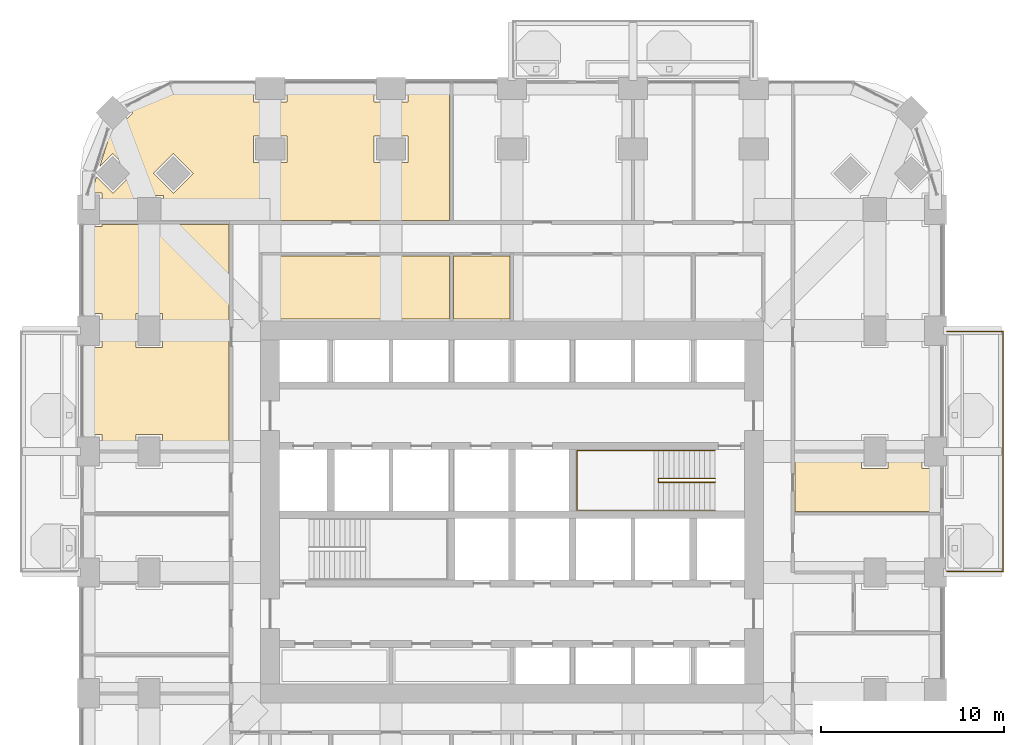
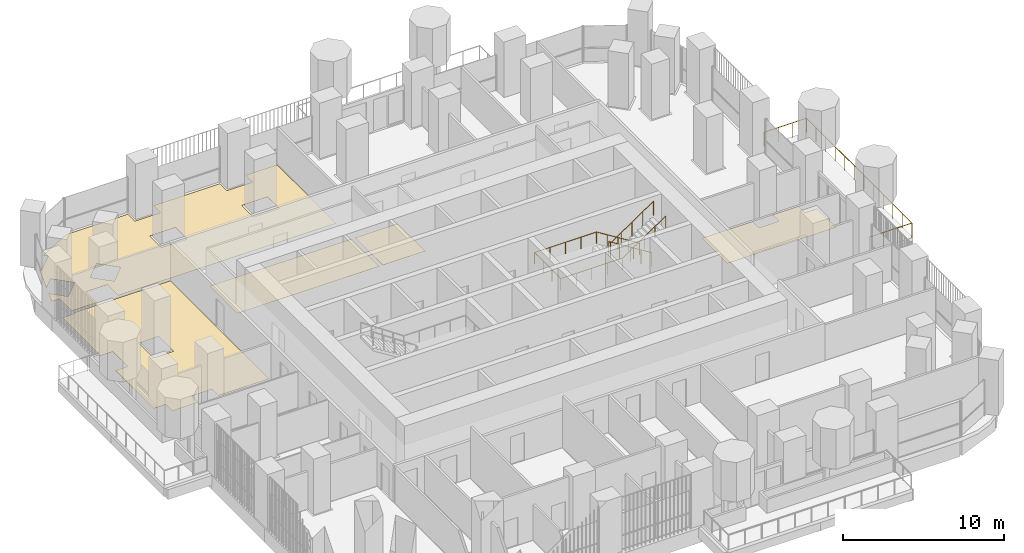
# One storey, part 20 of 22: 5 coverings, 3 railings.
"""IFC4 building model written with IfcOpenShell, lengths in metres."""

import ifcopenshell
import ifcopenshell.guid

model = None  # the IFC model being written
_history = None  # IfcOwnerHistory: only IFC2X3 demands one
_inside = {}  # id of a spatial element -> (the spatial element, [elements in it])
_under = {}  # id of a project, library or spatial element -> (it, [spatial elements below it])
_declared = {}  # id of a project -> (the project, [libraries it declares])
_typed = {}  # id of a type object -> (the type object, [elements of that type])
_made_of = {}  # id of a material, layer set ... -> (it, [elements and type objects made of it])


def new_model(schema):
    """Start an empty IFC model of exactly this schema.

    Asked for "IFC4X3", IfcOpenShell would pick the latest addendum, in which some entities
    have other attributes; the version numbers below select the first issue.
    IFC2X3 requires an IfcOwnerHistory on every rooted entity: one is made here for all.
    """
    global model, _history
    if schema == "IFC4X3":
        model = ifcopenshell.file(schema_version=(4, 3, 0, 0))
    else:
        model = ifcopenshell.file(schema=schema)
    _inside.clear()
    _under.clear()
    _declared.clear()
    _typed.clear()
    _made_of.clear()
    _history = None
    if model.schema == "IFC2X3":
        org = make("IfcOrganization", Name="unknown")
        user = make(
            "IfcPersonAndOrganization",
            ThePerson=make("IfcPerson", FamilyName="unknown"),
            TheOrganization=org,
        )
        app = make(
            "IfcApplication",
            ApplicationDeveloper=org,
            Version="unknown",
            ApplicationFullName="unknown",
            ApplicationIdentifier="unknown",
        )
        _history = make(
            "IfcOwnerHistory",
            OwningUser=user,
            OwningApplication=app,
            ChangeAction="ADDED",
            CreationDate=0,
        )
    return model


def make(cls, **values):
    """One entity of the class cls with the attributes given. An attribute that is None is left unset."""
    return model.create_entity(
        cls, **{name: value for name, value in values.items() if value is not None}
    )


def rooted(cls, **values):
    """An entity with a GlobalId (a new one), such as an element, a storey or a relation."""
    return make(cls, GlobalId=ifcopenshell.guid.new(), OwnerHistory=_history, **values)


def si_unit(unit_type, name, prefix=None):
    """IfcSIUnit, for example si_unit("LENGTHUNIT", "METRE", prefix="MILLI")."""
    return make("IfcSIUnit", UnitType=unit_type, Prefix=prefix, Name=name)


def assignment(units):
    """IfcUnitAssignment: the units of a project."""
    return None if units is None else make("IfcUnitAssignment", Units=units)


def point(xyz):
    """IfcCartesianPoint."""
    return None if xyz is None else make("IfcCartesianPoint", Coordinates=xyz)


def direction(xyz):
    """IfcDirection."""
    return None if xyz is None else make("IfcDirection", DirectionRatios=xyz)


def frame(location, z_axis=None, x_axis=None):
    """IfcAxis2Placement3D, a coordinate frame: its origin and axes. An axis left out is left unset."""
    return make(
        "IfcAxis2Placement3D",
        Location=point(location),
        Axis=direction(z_axis),
        RefDirection=direction(x_axis),
    )


def origin():
    """The frame at (0, 0, 0) with its axes left unset."""
    return frame((0.0, 0.0, 0.0))


def place(relative_to, where):
    """IfcLocalPlacement: puts the frame where relative to a parent placement (None: the world)."""
    return make(
        "IfcLocalPlacement", PlacementRelTo=relative_to, RelativePlacement=where
    )


def context(
    kind, dimensions, precision=None, world=None, true_north=None, identifier=None
):
    """IfcGeometricRepresentationContext, for example the 3D "Model" context."""
    return make(
        "IfcGeometricRepresentationContext",
        ContextIdentifier=identifier,
        ContextType=kind,
        CoordinateSpaceDimension=dimensions,
        Precision=precision,
        WorldCoordinateSystem=world,
        TrueNorth=true_north,
    )


def subcontext(parent, identifier, kind, view, scale=None):
    """IfcGeometricRepresentationSubContext, for example "Body" below "Model"."""
    return make(
        "IfcGeometricRepresentationSubContext",
        ContextIdentifier=identifier,
        ContextType=kind,
        ParentContext=parent,
        TargetScale=scale,
        TargetView=view,
    )


def project(units=None, contexts=None):
    """IfcProject with its units and contexts."""
    return rooted(
        "IfcProject",
        Name="project",
        RepresentationContexts=contexts,
        UnitsInContext=assignment(units),
    )


def spatial(cls, under=None, at=None, **own):
    """A site, building, storey or space (cls), placed at a placement, below another one or the project."""
    s = rooted(cls, ObjectPlacement=at, **own)
    if under is not None:
        _under.setdefault(under.id(), (under, []))[1].append(s)
    return s


def polyline(points):
    """IfcPolyline through the points."""
    return make("IfcPolyline", Points=[point(p) for p in points])


def outline(outer, holes=None, kind="AREA"):
    """IfcArbitraryClosedProfileDef: a profile drawn as a closed curve; with holes, ...WithVoids."""
    if holes is None:
        return make("IfcArbitraryClosedProfileDef", ProfileType=kind, OuterCurve=outer)
    return make(
        "IfcArbitraryProfileDefWithVoids",
        ProfileType=kind,
        OuterCurve=outer,
        InnerCurves=holes,
    )


def extrude(swept, where, along, depth):
    """IfcExtrudedAreaSolid: the profile swept, set in the frame where, extruded along a direction by depth."""
    return make(
        "IfcExtrudedAreaSolid",
        SweptArea=swept,
        Position=where,
        ExtrudedDirection=direction(along),
        Depth=depth,
    )


def shape(context_of_items, identifier, shape_type, items):
    """IfcShapeRepresentation: the items that make up one representation, for example the "Body"."""
    return make(
        "IfcShapeRepresentation",
        ContextOfItems=context_of_items,
        RepresentationIdentifier=identifier,
        RepresentationType=shape_type,
        Items=items,
    )


def material(Name=None, Category=None):
    """IfcMaterial."""
    return make("IfcMaterial", Name=Name, Category=Category)


def layer(
    of_material, thickness, ventilated=None, Name=None, Category=None, Priority=None
):
    """IfcMaterialLayer: one layer of a wall or slab, of a material (None: an air gap)."""
    return make(
        "IfcMaterialLayer",
        Material=of_material,
        LayerThickness=thickness,
        IsVentilated=ventilated,
        Name=Name,
        Category=Category,
        Priority=Priority,
    )


def layer_set(layers, Name=None):
    """IfcMaterialLayerSet."""
    return make("IfcMaterialLayerSet", MaterialLayers=layers, LayerSetName=Name)


def made_of(thing, what):
    """Note that an element or type object is made of a material, layer set ...; save() writes the relation."""
    if what is not None:
        _made_of.setdefault(what.id(), (what, []))[1].append(thing)
    return thing


def type_object(cls, material=None, **own):
    """A type object (cls), such as IfcWallType, which elements share."""
    return made_of(rooted(cls, **own), material)


def element(
    cls,
    number,
    at=None,
    inside=None,
    cuts=None,
    type_object=None,
    material=None,
    context=None,
    identifier="Body",
    shape_type=None,
    held_by="IfcProductDefinitionShape",
    body=None,
    shapes=None,
    **own,
):
    """One element of the class cls, such as IfcWall. Its Tag is "e" and its number.

    at: its placement. inside: the storey or other place that contains it. cuts: it is an
    opening in that element (IfcRelVoidsElement). A single representation is given by context,
    identifier, shape_type and body (its items); several are given by shapes. held_by: the class
    of the entity that holds the representations. save() writes the other relations.
    """
    e = rooted(cls, Tag="e%d" % number, ObjectPlacement=at, **own)
    if body is not None:
        shapes = [shape(context, identifier, shape_type, body)]
    if shapes is not None:
        e.Representation = make(held_by, Representations=shapes)
    if inside is not None:
        _inside.setdefault(inside.id(), (inside, []))[1].append(e)
    if cuts is not None:
        rooted(
            "IfcRelVoidsElement", RelatingBuildingElement=cuts, RelatedOpeningElement=e
        )
    if type_object is not None:
        _typed.setdefault(type_object.id(), (type_object, []))[1].append(e)
    return made_of(e, material)


def aggregate(whole, parts):
    """IfcRelAggregates: a whole, such as a stair, and the parts it consists of."""
    return rooted("IfcRelAggregates", RelatingObject=whole, RelatedObjects=parts)


def save(model, path):
    """Write the relations noted so far, then the file.

    IfcRelAggregates (storeys below a building ...), IfcRelContainedInSpatialStructure (elements
    in a storey), IfcRelDefinesByType, IfcRelAssociatesMaterial and IfcRelDeclares: one each for
    every whole, place, type object, material and project.
    """
    for whole, parts in _under.values():
        aggregate(whole, parts)
    for where, things in _inside.values():
        rooted(
            "IfcRelContainedInSpatialStructure",
            RelatedElements=things,
            RelatingStructure=where,
        )
    for kind, things in _typed.values():
        rooted("IfcRelDefinesByType", RelatedObjects=things, RelatingType=kind)
    for what, things in _made_of.values():
        rooted("IfcRelAssociatesMaterial", RelatedObjects=things, RelatingMaterial=what)
    for by, libraries in _declared.values():
        rooted("IfcRelDeclares", RelatingContext=by, RelatedDefinitions=libraries)
    model.write(path)


model = new_model("IFC4")

# Units and contexts
model_context = context("Model", 3, precision=1e-05, world=origin(), true_north=direction((0.0, 1.0)))
body_context = subcontext(model_context, "Body", "Model", "MODEL_VIEW")
ifc_project = project(units=[si_unit("LENGTHUNIT", "METRE"), si_unit("AREAUNIT", "SQUARE_METRE"), si_unit("VOLUMEUNIT", "CUBIC_METRE"), si_unit("PLANEANGLEUNIT", "RADIAN"), si_unit("MASSUNIT", "GRAM", prefix="KILO")], contexts=[model_context])

# Site, building, storey
site_placement = place(None, origin())
site = spatial("IfcSite", under=ifc_project, at=site_placement, CompositionType="ELEMENT")
building_placement = place(site_placement, origin())
building = spatial("IfcBuilding", under=site, at=building_placement, Name="Cobogo Forest Laboratory Tower", CompositionType="ELEMENT")
storey_placement = place(building_placement, frame((0.0, 0.0, 94.800048828125)))
storey = spatial("IfcBuildingStorey", under=building, at=storey_placement, Name="L21", CompositionType="ELEMENT", Elevation=94.800048828125)

# Railing
ifc_material_1 = material(Name="Laminated glass balustrade", Category="glass")
railing_type_1 = type_object("IfcRailingType", Name="BG1 glass balustrade 1100", PredefinedType="GUARDRAIL", material=ifc_material_1)
railing_1_placement = place(storey_placement, frame((50.14990234375, 19.85009765625, 0.0)))
element("IfcRailing", 1, at=railing_1_placement, inside=storey, type_object=railing_type_1, Name="Balcony balustrade BAL-E1 L21", PredefinedType="GUARDRAIL", context=body_context, shape_type="SweptSolid", body=[
    extrude(outline(polyline([(0.022216796875, 0.00927734375), (0.00927734375, 0.022216796875), (-0.00927734375, 0.022216796875), (-0.022216796875, 0.00927734375), (-0.022216796875, -0.00927734375), (-0.00927734375, -0.022216796875), (0.00927734375, -0.022216796875), (0.022216796875, -0.00927734375), (0.022216796875, 0.00927734375)])), frame((0.0, 0.0, 1.077880859375), z_axis=(1.0, 0.0, 0.0), x_axis=(0.0, 1.0, 0.0)), (0.0, 0.0, 1.0), 3.050048828125),
    extrude(outline(polyline([(0.022216796875, 0.00927734375), (0.00927734375, 0.022216796875), (-0.00927734375, 0.022216796875), (-0.022216796875, 0.00927734375), (-0.022216796875, -0.00927734375), (-0.00927734375, -0.022216796875), (0.00927734375, -0.022216796875), (0.022216796875, -0.00927734375), (0.022216796875, 0.00927734375)])), frame((3.050048828125, 0.0, 1.077880859375), z_axis=(0.0, 1.0, 0.0), x_axis=(-1.0, 0.0, 0.0)), (0.0, 0.0, 1.0), 13.099853515625),
    extrude(outline(polyline([(0.022216796875, 0.00927734375), (0.00927734375, 0.022216796875), (-0.00927734375, 0.022216796875), (-0.022216796875, 0.00927734375), (-0.022216796875, -0.00927734375), (-0.00927734375, -0.022216796875), (0.00927734375, -0.022216796875), (0.022216796875, -0.00927734375), (0.022216796875, 0.00927734375)])), frame((3.050048828125, 13.099853515625, 1.077880859375), z_axis=(-1.0, 0.0, 0.0), x_axis=(0.0, -1.0, 0.0)), (0.0, 0.0, 1.0), 3.050048828125),
    extrude(outline(polyline([(0.019287109375, 0.008056640625), (0.008056640625, 0.019287109375), (-0.008056640625, 0.019287109375), (-0.019287109375, 0.008056640625), (-0.019287109375, -0.008056640625), (-0.008056640625, -0.019287109375), (0.008056640625, -0.019287109375), (0.019287109375, -0.008056640625), (0.019287109375, 0.008056640625)])), origin(), (0.0, 0.0, 1.0), 1.077880859375),
    extrude(outline(polyline([(0.019287109375, 0.008056640625), (0.008056640625, 0.019287109375), (-0.008056640625, 0.019287109375), (-0.019287109375, 0.008056640625), (-0.019287109375, -0.008056640625), (-0.008056640625, -0.019287109375), (0.008056640625, -0.019287109375), (0.019287109375, -0.008056640625), (0.019287109375, 0.008056640625)])), frame((1.0166015625, 0.0, 0.0)), (0.0, 0.0, 1.0), 1.077880859375),
    extrude(outline(polyline([(0.019287109375, 0.008056640625), (0.008056640625, 0.019287109375), (-0.008056640625, 0.019287109375), (-0.019287109375, 0.008056640625), (-0.019287109375, -0.008056640625), (-0.008056640625, -0.019287109375), (0.008056640625, -0.019287109375), (0.019287109375, -0.008056640625), (0.019287109375, 0.008056640625)])), frame((2.033447265625, 0.0, 0.0)), (0.0, 0.0, 1.0), 1.077880859375),
    extrude(outline(polyline([(0.019287109375, 0.008056640625), (0.008056640625, 0.019287109375), (-0.008056640625, 0.019287109375), (-0.019287109375, 0.008056640625), (-0.019287109375, -0.008056640625), (-0.008056640625, -0.019287109375), (0.008056640625, -0.019287109375), (0.019287109375, -0.008056640625), (0.019287109375, 0.008056640625)])), frame((3.050048828125, 0.0, 0.0)), (0.0, 0.0, 1.0), 1.077880859375),
    extrude(outline(polyline([(0.019287109375, 0.008056640625), (0.008056640625, 0.019287109375), (-0.008056640625, 0.019287109375), (-0.019287109375, 0.008056640625), (-0.019287109375, -0.008056640625), (-0.008056640625, -0.019287109375), (0.008056640625, -0.019287109375), (0.019287109375, -0.008056640625), (0.019287109375, 0.008056640625)])), frame((3.050048828125, 1.19091796875, 0.0)), (0.0, 0.0, 1.0), 1.077880859375),
    extrude(outline(polyline([(0.019287109375, 0.008056640625), (0.008056640625, 0.019287109375), (-0.008056640625, 0.019287109375), (-0.019287109375, 0.008056640625), (-0.019287109375, -0.008056640625), (-0.008056640625, -0.019287109375), (0.008056640625, -0.019287109375), (0.019287109375, -0.008056640625), (0.019287109375, 0.008056640625)])), frame((3.050048828125, 2.3818359375, 0.0)), (0.0, 0.0, 1.0), 1.077880859375),
    extrude(outline(polyline([(0.019287109375, 0.008056640625), (0.008056640625, 0.019287109375), (-0.008056640625, 0.019287109375), (-0.019287109375, 0.008056640625), (-0.019287109375, -0.008056640625), (-0.008056640625, -0.019287109375), (0.008056640625, -0.019287109375), (0.019287109375, -0.008056640625), (0.019287109375, 0.008056640625)])), frame((3.050048828125, 3.57275390625, 0.0)), (0.0, 0.0, 1.0), 1.077880859375),
    extrude(outline(polyline([(0.019287109375, 0.008056640625), (0.008056640625, 0.019287109375), (-0.008056640625, 0.019287109375), (-0.019287109375, 0.008056640625), (-0.019287109375, -0.008056640625), (-0.008056640625, -0.019287109375), (0.008056640625, -0.019287109375), (0.019287109375, -0.008056640625), (0.019287109375, 0.008056640625)])), frame((3.050048828125, 4.763671875, 0.0)), (0.0, 0.0, 1.0), 1.077880859375),
    extrude(outline(polyline([(0.019287109375, 0.008056640625), (0.008056640625, 0.019287109375), (-0.008056640625, 0.019287109375), (-0.019287109375, 0.008056640625), (-0.019287109375, -0.008056640625), (-0.008056640625, -0.019287109375), (0.008056640625, -0.019287109375), (0.019287109375, -0.008056640625), (0.019287109375, 0.008056640625)])), frame((3.050048828125, 5.95458984375, 0.0)), (0.0, 0.0, 1.0), 1.077880859375),
    extrude(outline(polyline([(0.019287109375, 0.008056640625), (0.008056640625, 0.019287109375), (-0.008056640625, 0.019287109375), (-0.019287109375, 0.008056640625), (-0.019287109375, -0.008056640625), (-0.008056640625, -0.019287109375), (0.008056640625, -0.019287109375), (0.019287109375, -0.008056640625), (0.019287109375, 0.008056640625)])), frame((3.050048828125, 7.145263671875, 0.0)), (0.0, 0.0, 1.0), 1.077880859375),
    extrude(outline(polyline([(0.019287109375, 0.008056640625), (0.008056640625, 0.019287109375), (-0.008056640625, 0.019287109375), (-0.019287109375, 0.008056640625), (-0.019287109375, -0.008056640625), (-0.008056640625, -0.019287109375), (0.008056640625, -0.019287109375), (0.019287109375, -0.008056640625), (0.019287109375, 0.008056640625)])), frame((3.050048828125, 8.336181640625, 0.0)), (0.0, 0.0, 1.0), 1.077880859375),
    extrude(outline(polyline([(0.019287109375, 0.008056640625), (0.008056640625, 0.019287109375), (-0.008056640625, 0.019287109375), (-0.019287109375, 0.008056640625), (-0.019287109375, -0.008056640625), (-0.008056640625, -0.019287109375), (0.008056640625, -0.019287109375), (0.019287109375, -0.008056640625), (0.019287109375, 0.008056640625)])), frame((3.050048828125, 9.527099609375, 0.0)), (0.0, 0.0, 1.0), 1.077880859375),
    extrude(outline(polyline([(0.019287109375, 0.008056640625), (0.008056640625, 0.019287109375), (-0.008056640625, 0.019287109375), (-0.019287109375, 0.008056640625), (-0.019287109375, -0.008056640625), (-0.008056640625, -0.019287109375), (0.008056640625, -0.019287109375), (0.019287109375, -0.008056640625), (0.019287109375, 0.008056640625)])), frame((3.050048828125, 10.718017578125, 0.0)), (0.0, 0.0, 1.0), 1.077880859375),
    extrude(outline(polyline([(0.019287109375, 0.008056640625), (0.008056640625, 0.019287109375), (-0.008056640625, 0.019287109375), (-0.019287109375, 0.008056640625), (-0.019287109375, -0.008056640625), (-0.008056640625, -0.019287109375), (0.008056640625, -0.019287109375), (0.019287109375, -0.008056640625), (0.019287109375, 0.008056640625)])), frame((3.050048828125, 11.908935546875, 0.0)), (0.0, 0.0, 1.0), 1.077880859375),
    extrude(outline(polyline([(0.019287109375, 0.008056640625), (0.008056640625, 0.019287109375), (-0.008056640625, 0.019287109375), (-0.019287109375, 0.008056640625), (-0.019287109375, -0.008056640625), (-0.008056640625, -0.019287109375), (0.008056640625, -0.019287109375), (0.019287109375, -0.008056640625), (0.019287109375, 0.008056640625)])), frame((3.050048828125, 13.099853515625, 0.0)), (0.0, 0.0, 1.0), 1.077880859375),
    extrude(outline(polyline([(0.019287109375, 0.008056640625), (0.008056640625, 0.019287109375), (-0.008056640625, 0.019287109375), (-0.019287109375, 0.008056640625), (-0.019287109375, -0.008056640625), (-0.008056640625, -0.019287109375), (0.008056640625, -0.019287109375), (0.019287109375, -0.008056640625), (0.019287109375, 0.008056640625)])), frame((2.033447265625, 13.099853515625, 0.0)), (0.0, 0.0, 1.0), 1.077880859375),
    extrude(outline(polyline([(0.019287109375, 0.008056640625), (0.008056640625, 0.019287109375), (-0.008056640625, 0.019287109375), (-0.019287109375, 0.008056640625), (-0.019287109375, -0.008056640625), (-0.008056640625, -0.019287109375), (0.008056640625, -0.019287109375), (0.019287109375, -0.008056640625), (0.019287109375, 0.008056640625)])), frame((1.0166015625, 13.099853515625, 0.0)), (0.0, 0.0, 1.0), 1.077880859375),
    extrude(outline(polyline([(0.019287109375, 0.008056640625), (0.008056640625, 0.019287109375), (-0.008056640625, 0.019287109375), (-0.019287109375, 0.008056640625), (-0.019287109375, -0.008056640625), (-0.008056640625, -0.019287109375), (0.008056640625, -0.019287109375), (0.019287109375, -0.008056640625), (0.019287109375, 0.008056640625)])), frame((0.0, 13.099853515625, 0.0)), (0.0, 0.0, 1.0), 1.077880859375),
])

# Coverings
ifc_material_2 = material(Name="Carpet tile on raised access floor", Category="flooring")
ifc_layer_1 = layer(ifc_material_2, 0.008056640625)
ifc_layer_set_1 = layer_set([ifc_layer_1], Name="CT1 carpet tile floor 8")
covering_type_1 = type_object("IfcCoveringType", Name="CT1 carpet tile floor 8", PredefinedType="FLOORING", material=ifc_layer_set_1)
covering_1_placement = place(storey_placement, origin())
element("IfcCovering", 2, at=covering_1_placement, inside=storey, type_object=covering_type_1, Name="Carpet floor L21-21", PredefinedType="FLOORING", context=body_context, shape_type="SweptSolid", body=[
    extrude(outline(polyline([(3.72412109375, 41.386962890625), (4.617919921875, 40.492919921875), (5.70703125, 41.58203125), (4.617919921875, 42.6708984375), (3.904052734375, 41.95703125), (4.51611328125, 43.89501953125), (4.617919921875, 43.79296875), (5.70703125, 44.882080078125), (5.480712890625, 45.1083984375), (7.84912109375, 46.35009765625), (12.280029296875, 46.35009765625), (12.280029296875, 45.47998046875), (14.1201171875, 45.47998046875), (14.1201171875, 46.35009765625), (18.8798828125, 46.35009765625), (18.8798828125, 45.47998046875), (20.719970703125, 45.47998046875), (20.719970703125, 46.35009765625), (22.97998046875, 46.35009765625), (22.97998046875, 39.02001953125), (7.3701171875, 39.02001953125), (7.3701171875, 40.3701171875), (5.830078125, 40.3701171875), (5.830078125, 39.02001953125), (4.02001953125, 39.02001953125), (4.02001953125, 40.52001953125), (3.4501953125, 40.52001953125), (3.72412109375, 41.386962890625)]), holes=[polyline([(18.8798828125, 42.179931640625), (20.719970703125, 42.179931640625), (20.719970703125, 43.6201171875), (18.8798828125, 43.6201171875), (18.8798828125, 42.179931640625)]), polyline([(12.280029296875, 43.6201171875), (12.280029296875, 42.179931640625), (14.1201171875, 42.179931640625), (14.1201171875, 43.6201171875), (12.280029296875, 43.6201171875)]), polyline([(6.8291015625, 41.58203125), (7.91796875, 40.492919921875), (9.007080078125, 41.58203125), (7.91796875, 42.6708984375), (6.8291015625, 41.58203125)])]), origin(), (0.0, 0.0, 1.0), 0.008056640625),
])
covering_2_placement = place(storey_placement, origin())
element("IfcCovering", 3, at=covering_2_placement, inside=storey, type_object=covering_type_1, Name="Carpet floor L21-30", PredefinedType="FLOORING", context=body_context, shape_type="SweptSolid", body=[
    extrude(outline(polyline([(4.02001953125, 38.780029296875), (10.955078125, 38.780029296875), (10.955078125, 26.52001953125), (7.320068359375, 26.52001953125), (7.320068359375, 27.320068359375), (5.8798828125, 27.320068359375), (5.8798828125, 26.52001953125), (4.02001953125, 26.52001953125), (4.02001953125, 27.320068359375), (3.14990234375, 27.320068359375), (3.14990234375, 32.080078125), (4.02001953125, 32.080078125), (4.02001953125, 33.919921875), (3.14990234375, 33.919921875), (3.14990234375, 38.679931640625), (4.02001953125, 38.679931640625), (4.02001953125, 38.780029296875)]), holes=[polyline([(5.8798828125, 32.080078125), (7.320068359375, 32.080078125), (7.320068359375, 33.919921875), (5.8798828125, 33.919921875), (5.8798828125, 32.080078125)])]), origin(), (0.0, 0.0, 1.0), 0.008056640625),
])

# Railings
ifc_material_3 = material(Name="Steel balustrade", Category="steel")
railing_type_2 = type_object("IfcRailingType", Name="GR stair guard 1100", PredefinedType="GUARDRAIL", material=ifc_material_3)
railing_2_placement = place(storey_placement, frame((37.47509765625, 24.929931640625, 0.175048828125)))
element("IfcRailing", 4, at=railing_2_placement, inside=storey, type_object=railing_type_2, Name="Stair guard ST2 L21", PredefinedType="GUARDRAIL", context=body_context, shape_type="SweptSolid", body=[
    extrude(outline(polyline([(0.022216796875, 0.00927734375), (0.00927734375, 0.022216796875), (-0.00927734375, 0.022216796875), (-0.022216796875, 0.00927734375), (-0.022216796875, -0.00927734375), (-0.00927734375, -0.022216796875), (0.00927734375, -0.022216796875), (0.022216796875, -0.00927734375), (0.022216796875, 0.00927734375)])), frame((0.0, 0.0, 1.077880859375), z_axis=(-0.848028513186, 0.0, 0.529950602248), x_axis=(0.0, -1.0, 0.0)), (0.0, 0.0, 1.0), 3.632080078125),
    extrude(outline(polyline([(0.022216796875, 0.00927734375), (0.00927734375, 0.022216796875), (-0.00927734375, 0.022216796875), (-0.022216796875, 0.00927734375), (-0.022216796875, -0.00927734375), (-0.00927734375, -0.022216796875), (0.00927734375, -0.022216796875), (0.022216796875, -0.00927734375), (0.022216796875, 0.00927734375)])), frame((-3.080078125, 0.0, 3.002685546875), z_axis=(0.0, -1.0, 0.0), x_axis=(1.0, 0.0, 0.0)), (0.0, 0.0, 1.0), 0.2099609375),
    extrude(outline(polyline([(0.022216796875, 0.00927734375), (0.00927734375, 0.022216796875), (-0.00927734375, 0.022216796875), (-0.022216796875, 0.00927734375), (-0.022216796875, -0.00927734375), (-0.00927734375, -0.022216796875), (0.00927734375, -0.022216796875), (0.022216796875, -0.00927734375), (0.022216796875, 0.00927734375)])), frame((-3.080078125, -0.2099609375, 3.002685546875), z_axis=(0.826221800596, 0.0, 0.563344953133), x_axis=(0.0, 1.0, 0.0)), (0.0, 0.0, 1.0), 3.72802734375),
    extrude(outline(polyline([(0.019287109375, 0.008056640625), (0.008056640625, 0.019287109375), (-0.008056640625, 0.019287109375), (-0.019287109375, 0.008056640625), (-0.019287109375, -0.008056640625), (-0.008056640625, -0.019287109375), (0.008056640625, -0.019287109375), (0.019287109375, -0.008056640625), (0.019287109375, 0.008056640625)])), origin(), (0.0, 0.0, 1.0), 1.077880859375),
    extrude(outline(polyline([(0.019287109375, 0.008056640625), (0.008056640625, 0.019287109375), (-0.008056640625, 0.019287109375), (-0.019287109375, 0.008056640625), (-0.019287109375, -0.008056640625), (-0.008056640625, -0.019287109375), (0.008056640625, -0.019287109375), (0.019287109375, -0.008056640625), (0.019287109375, 0.008056640625)])), frame((-0.77001953125, 0.0, 0.481201171875)), (0.0, 0.0, 1.0), 1.077880859375),
    extrude(outline(polyline([(0.019287109375, 0.008056640625), (0.008056640625, 0.019287109375), (-0.008056640625, 0.019287109375), (-0.019287109375, 0.008056640625), (-0.019287109375, -0.008056640625), (-0.008056640625, -0.019287109375), (0.008056640625, -0.019287109375), (0.019287109375, -0.008056640625), (0.019287109375, 0.008056640625)])), frame((-1.5400390625, 0.0, 0.96240234375)), (0.0, 0.0, 1.0), 1.077880859375),
    extrude(outline(polyline([(0.019287109375, 0.008056640625), (0.008056640625, 0.019287109375), (-0.008056640625, 0.019287109375), (-0.019287109375, 0.008056640625), (-0.019287109375, -0.008056640625), (-0.008056640625, -0.019287109375), (0.008056640625, -0.019287109375), (0.019287109375, -0.008056640625), (0.019287109375, 0.008056640625)])), frame((-2.31005859375, 0.0, 1.443603515625)), (0.0, 0.0, 1.0), 1.077880859375),
    extrude(outline(polyline([(0.019287109375, 0.008056640625), (0.008056640625, 0.019287109375), (-0.008056640625, 0.019287109375), (-0.019287109375, 0.008056640625), (-0.019287109375, -0.008056640625), (-0.008056640625, -0.019287109375), (0.008056640625, -0.019287109375), (0.019287109375, -0.008056640625), (0.019287109375, 0.008056640625)])), frame((-3.080078125, 0.0, 1.9248046875)), (0.0, 0.0, 1.0), 1.077880859375),
    extrude(outline(polyline([(0.019287109375, 0.008056640625), (0.008056640625, 0.019287109375), (-0.008056640625, 0.019287109375), (-0.019287109375, 0.008056640625), (-0.019287109375, -0.008056640625), (-0.008056640625, -0.019287109375), (0.008056640625, -0.019287109375), (0.019287109375, -0.008056640625), (0.019287109375, 0.008056640625)])), frame((-3.080078125, -0.2099609375, 1.9248046875)), (0.0, 0.0, 1.0), 1.077880859375),
    extrude(outline(polyline([(0.019287109375, 0.008056640625), (0.008056640625, 0.019287109375), (-0.008056640625, 0.019287109375), (-0.019287109375, 0.008056640625), (-0.019287109375, -0.008056640625), (-0.008056640625, -0.019287109375), (0.008056640625, -0.019287109375), (0.019287109375, -0.008056640625), (0.019287109375, 0.008056640625)])), frame((-2.31005859375, -0.2099609375, 2.44970703125)), (0.0, 0.0, 1.0), 1.077880859375),
    extrude(outline(polyline([(0.019287109375, 0.008056640625), (0.008056640625, 0.019287109375), (-0.008056640625, 0.019287109375), (-0.019287109375, 0.008056640625), (-0.019287109375, -0.008056640625), (-0.008056640625, -0.019287109375), (0.008056640625, -0.019287109375), (0.019287109375, -0.008056640625), (0.019287109375, 0.008056640625)])), frame((-1.5400390625, -0.2099609375, 2.974853515625)), (0.0, 0.0, 1.0), 1.077880859375),
    extrude(outline(polyline([(0.019287109375, 0.008056640625), (0.008056640625, 0.019287109375), (-0.008056640625, 0.019287109375), (-0.019287109375, 0.008056640625), (-0.019287109375, -0.008056640625), (-0.008056640625, -0.019287109375), (0.008056640625, -0.019287109375), (0.019287109375, -0.008056640625), (0.019287109375, 0.008056640625)])), frame((-0.77001953125, -0.2099609375, 3.5)), (0.0, 0.0, 1.0), 1.077880859375),
    extrude(outline(polyline([(0.019287109375, 0.008056640625), (0.008056640625, 0.019287109375), (-0.008056640625, 0.019287109375), (-0.019287109375, 0.008056640625), (-0.019287109375, -0.008056640625), (-0.008056640625, -0.019287109375), (0.008056640625, -0.019287109375), (0.019287109375, -0.008056640625), (0.019287109375, 0.008056640625)])), frame((0.0, -0.2099609375, 4.02490234375)), (0.0, 0.0, 1.0), 1.077880859375),
])
ifc_material_4 = material(Name="Stainless steel handrail", Category="steel")
railing_type_3 = type_object("IfcRailingType", Name="HR handrail 900", PredefinedType="HANDRAIL", material=ifc_material_4)
railing_3_placement = place(storey_placement, frame((37.47509765625, 26.449951171875, 0.175048828125)))
element("IfcRailing", 5, at=railing_3_placement, inside=storey, type_object=railing_type_3, Name="Stair handrail ST2 L21", PredefinedType="HANDRAIL", context=body_context, shape_type="SweptSolid", body=[
    extrude(outline(polyline([(0.022216796875, 0.00927734375), (0.00927734375, 0.022216796875), (-0.00927734375, 0.022216796875), (-0.022216796875, 0.00927734375), (-0.022216796875, -0.00927734375), (-0.00927734375, -0.022216796875), (0.00927734375, -0.022216796875), (0.022216796875, -0.00927734375), (0.022216796875, 0.00927734375)])), frame((0.0, 0.0, 0.877685546875), z_axis=(-0.848028513186, 0.0, 0.529950602248), x_axis=(0.0, -1.0, 0.0)), (0.0, 0.0, 1.0), 3.632080078125),
    extrude(outline(polyline([(0.022216796875, 0.00927734375), (0.00927734375, 0.022216796875), (-0.00927734375, 0.022216796875), (-0.022216796875, 0.00927734375), (-0.022216796875, -0.00927734375), (-0.00927734375, -0.022216796875), (0.00927734375, -0.022216796875), (0.022216796875, -0.00927734375), (0.022216796875, 0.00927734375)])), frame((-3.080078125, 0.0, 2.802490234375), z_axis=(-1.0, 0.0, 0.0), x_axis=(0.0, -1.0, 0.0)), (0.0, 0.0, 1.0), 4.445068359375),
    extrude(outline(polyline([(0.022216796875, 0.00927734375), (0.00927734375, 0.022216796875), (-0.00927734375, 0.022216796875), (-0.022216796875, 0.00927734375), (-0.022216796875, -0.00927734375), (-0.00927734375, -0.022216796875), (0.00927734375, -0.022216796875), (0.022216796875, -0.00927734375), (0.022216796875, 0.00927734375)])), frame((-7.525146484375, 0.0, 2.802490234375), z_axis=(0.0, -1.0, 0.0), x_axis=(1.0, 0.0, 0.0)), (0.0, 0.0, 1.0), 3.25),
    extrude(outline(polyline([(0.022216796875, 0.00927734375), (0.00927734375, 0.022216796875), (-0.00927734375, 0.022216796875), (-0.022216796875, 0.00927734375), (-0.022216796875, -0.00927734375), (-0.00927734375, -0.022216796875), (0.00927734375, -0.022216796875), (0.022216796875, -0.00927734375), (0.022216796875, 0.00927734375)])), frame((-7.525146484375, -3.25, 2.802490234375), z_axis=(1.0, 0.0, 0.0), x_axis=(0.0, 1.0, 0.0)), (0.0, 0.0, 1.0), 4.445068359375),
    extrude(outline(polyline([(0.022216796875, 0.00927734375), (0.00927734375, 0.022216796875), (-0.00927734375, 0.022216796875), (-0.022216796875, 0.00927734375), (-0.022216796875, -0.00927734375), (-0.00927734375, -0.022216796875), (0.00927734375, -0.022216796875), (0.022216796875, -0.00927734375), (0.022216796875, 0.00927734375)])), frame((-3.080078125, -3.25, 2.802490234375), z_axis=(0.826221800596, 0.0, 0.563344953133), x_axis=(0.0, 1.0, 0.0)), (0.0, 0.0, 1.0), 3.72802734375),
    extrude(outline(polyline([(0.019287109375, 0.008056640625), (0.008056640625, 0.019287109375), (-0.008056640625, 0.019287109375), (-0.019287109375, 0.008056640625), (-0.019287109375, -0.008056640625), (-0.008056640625, -0.019287109375), (0.008056640625, -0.019287109375), (0.019287109375, -0.008056640625), (0.019287109375, 0.008056640625)])), origin(), (0.0, 0.0, 1.0), 0.877685546875),
    extrude(outline(polyline([(0.019287109375, 0.008056640625), (0.008056640625, 0.019287109375), (-0.008056640625, 0.019287109375), (-0.019287109375, 0.008056640625), (-0.019287109375, -0.008056640625), (-0.008056640625, -0.019287109375), (0.008056640625, -0.019287109375), (0.019287109375, -0.008056640625), (0.019287109375, 0.008056640625)])), frame((-0.77001953125, 0.0, 0.481201171875)), (0.0, 0.0, 1.0), 0.877685546875),
    extrude(outline(polyline([(0.019287109375, 0.008056640625), (0.008056640625, 0.019287109375), (-0.008056640625, 0.019287109375), (-0.019287109375, 0.008056640625), (-0.019287109375, -0.008056640625), (-0.008056640625, -0.019287109375), (0.008056640625, -0.019287109375), (0.019287109375, -0.008056640625), (0.019287109375, 0.008056640625)])), frame((-1.5400390625, 0.0, 0.96240234375)), (0.0, 0.0, 1.0), 0.877685546875),
    extrude(outline(polyline([(0.019287109375, 0.008056640625), (0.008056640625, 0.019287109375), (-0.008056640625, 0.019287109375), (-0.019287109375, 0.008056640625), (-0.019287109375, -0.008056640625), (-0.008056640625, -0.019287109375), (0.008056640625, -0.019287109375), (0.019287109375, -0.008056640625), (0.019287109375, 0.008056640625)])), frame((-2.31005859375, 0.0, 1.443603515625)), (0.0, 0.0, 1.0), 0.877685546875),
    extrude(outline(polyline([(0.019287109375, 0.008056640625), (0.008056640625, 0.019287109375), (-0.008056640625, 0.019287109375), (-0.019287109375, 0.008056640625), (-0.019287109375, -0.008056640625), (-0.008056640625, -0.019287109375), (0.008056640625, -0.019287109375), (0.019287109375, -0.008056640625), (0.019287109375, 0.008056640625)])), frame((-3.080078125, 0.0, 1.9248046875)), (0.0, 0.0, 1.0), 0.877685546875),
    extrude(outline(polyline([(0.019287109375, 0.008056640625), (0.008056640625, 0.019287109375), (-0.008056640625, 0.019287109375), (-0.019287109375, 0.008056640625), (-0.019287109375, -0.008056640625), (-0.008056640625, -0.019287109375), (0.008056640625, -0.019287109375), (0.019287109375, -0.008056640625), (0.019287109375, 0.008056640625)])), frame((-4.19140625, 0.0, 1.9248046875)), (0.0, 0.0, 1.0), 0.877685546875),
    extrude(outline(polyline([(0.019287109375, 0.008056640625), (0.008056640625, 0.019287109375), (-0.008056640625, 0.019287109375), (-0.019287109375, 0.008056640625), (-0.019287109375, -0.008056640625), (-0.008056640625, -0.019287109375), (0.008056640625, -0.019287109375), (0.019287109375, -0.008056640625), (0.019287109375, 0.008056640625)])), frame((-5.302734375, 0.0, 1.9248046875)), (0.0, 0.0, 1.0), 0.877685546875),
    extrude(outline(polyline([(0.019287109375, 0.008056640625), (0.008056640625, 0.019287109375), (-0.008056640625, 0.019287109375), (-0.019287109375, 0.008056640625), (-0.019287109375, -0.008056640625), (-0.008056640625, -0.019287109375), (0.008056640625, -0.019287109375), (0.019287109375, -0.008056640625), (0.019287109375, 0.008056640625)])), frame((-6.413818359375, 0.0, 1.9248046875)), (0.0, 0.0, 1.0), 0.877685546875),
    extrude(outline(polyline([(0.019287109375, 0.008056640625), (0.008056640625, 0.019287109375), (-0.008056640625, 0.019287109375), (-0.019287109375, 0.008056640625), (-0.019287109375, -0.008056640625), (-0.008056640625, -0.019287109375), (0.008056640625, -0.019287109375), (0.019287109375, -0.008056640625), (0.019287109375, 0.008056640625)])), frame((-7.525146484375, 0.0, 1.9248046875)), (0.0, 0.0, 1.0), 0.877685546875),
    extrude(outline(polyline([(0.019287109375, 0.008056640625), (0.008056640625, 0.019287109375), (-0.008056640625, 0.019287109375), (-0.019287109375, 0.008056640625), (-0.019287109375, -0.008056640625), (-0.008056640625, -0.019287109375), (0.008056640625, -0.019287109375), (0.019287109375, -0.008056640625), (0.019287109375, 0.008056640625)])), frame((-7.525146484375, -1.083251953125, 1.9248046875)), (0.0, 0.0, 1.0), 0.877685546875),
    extrude(outline(polyline([(0.019287109375, 0.008056640625), (0.008056640625, 0.019287109375), (-0.008056640625, 0.019287109375), (-0.019287109375, 0.008056640625), (-0.019287109375, -0.008056640625), (-0.008056640625, -0.019287109375), (0.008056640625, -0.019287109375), (0.019287109375, -0.008056640625), (0.019287109375, 0.008056640625)])), frame((-7.525146484375, -2.166748046875, 1.9248046875)), (0.0, 0.0, 1.0), 0.877685546875),
    extrude(outline(polyline([(0.019287109375, 0.008056640625), (0.008056640625, 0.019287109375), (-0.008056640625, 0.019287109375), (-0.019287109375, 0.008056640625), (-0.019287109375, -0.008056640625), (-0.008056640625, -0.019287109375), (0.008056640625, -0.019287109375), (0.019287109375, -0.008056640625), (0.019287109375, 0.008056640625)])), frame((-7.525146484375, -3.25, 1.9248046875)), (0.0, 0.0, 1.0), 0.877685546875),
    extrude(outline(polyline([(0.019287109375, 0.008056640625), (0.008056640625, 0.019287109375), (-0.008056640625, 0.019287109375), (-0.019287109375, 0.008056640625), (-0.019287109375, -0.008056640625), (-0.008056640625, -0.019287109375), (0.008056640625, -0.019287109375), (0.019287109375, -0.008056640625), (0.019287109375, 0.008056640625)])), frame((-6.413818359375, -3.25, 1.9248046875)), (0.0, 0.0, 1.0), 0.877685546875),
    extrude(outline(polyline([(0.019287109375, 0.008056640625), (0.008056640625, 0.019287109375), (-0.008056640625, 0.019287109375), (-0.019287109375, 0.008056640625), (-0.019287109375, -0.008056640625), (-0.008056640625, -0.019287109375), (0.008056640625, -0.019287109375), (0.019287109375, -0.008056640625), (0.019287109375, 0.008056640625)])), frame((-5.302734375, -3.25, 1.9248046875)), (0.0, 0.0, 1.0), 0.877685546875),
    extrude(outline(polyline([(0.019287109375, 0.008056640625), (0.008056640625, 0.019287109375), (-0.008056640625, 0.019287109375), (-0.019287109375, 0.008056640625), (-0.019287109375, -0.008056640625), (-0.008056640625, -0.019287109375), (0.008056640625, -0.019287109375), (0.019287109375, -0.008056640625), (0.019287109375, 0.008056640625)])), frame((-4.19140625, -3.25, 1.9248046875)), (0.0, 0.0, 1.0), 0.877685546875),
    extrude(outline(polyline([(0.019287109375, 0.008056640625), (0.008056640625, 0.019287109375), (-0.008056640625, 0.019287109375), (-0.019287109375, 0.008056640625), (-0.019287109375, -0.008056640625), (-0.008056640625, -0.019287109375), (0.008056640625, -0.019287109375), (0.019287109375, -0.008056640625), (0.019287109375, 0.008056640625)])), frame((-3.080078125, -3.25, 1.9248046875)), (0.0, 0.0, 1.0), 0.877685546875),
    extrude(outline(polyline([(0.019287109375, 0.008056640625), (0.008056640625, 0.019287109375), (-0.008056640625, 0.019287109375), (-0.019287109375, 0.008056640625), (-0.019287109375, -0.008056640625), (-0.008056640625, -0.019287109375), (0.008056640625, -0.019287109375), (0.019287109375, -0.008056640625), (0.019287109375, 0.008056640625)])), frame((-2.31005859375, -3.25, 2.44970703125)), (0.0, 0.0, 1.0), 0.877685546875),
    extrude(outline(polyline([(0.019287109375, 0.008056640625), (0.008056640625, 0.019287109375), (-0.008056640625, 0.019287109375), (-0.019287109375, 0.008056640625), (-0.019287109375, -0.008056640625), (-0.008056640625, -0.019287109375), (0.008056640625, -0.019287109375), (0.019287109375, -0.008056640625), (0.019287109375, 0.008056640625)])), frame((-1.5400390625, -3.25, 2.974853515625)), (0.0, 0.0, 1.0), 0.877685546875),
    extrude(outline(polyline([(0.019287109375, 0.008056640625), (0.008056640625, 0.019287109375), (-0.008056640625, 0.019287109375), (-0.019287109375, 0.008056640625), (-0.019287109375, -0.008056640625), (-0.008056640625, -0.019287109375), (0.008056640625, -0.019287109375), (0.019287109375, -0.008056640625), (0.019287109375, 0.008056640625)])), frame((-0.77001953125, -3.25, 3.5)), (0.0, 0.0, 1.0), 0.877685546875),
    extrude(outline(polyline([(0.019287109375, 0.008056640625), (0.008056640625, 0.019287109375), (-0.008056640625, 0.019287109375), (-0.019287109375, 0.008056640625), (-0.019287109375, -0.008056640625), (-0.008056640625, -0.019287109375), (0.008056640625, -0.019287109375), (0.019287109375, -0.008056640625), (0.019287109375, 0.008056640625)])), frame((0.0, -3.25, 4.02490234375)), (0.0, 0.0, 1.0), 0.877685546875),
])

# Coverings
ifc_material_5 = material(Name="Epoxy resin flooring", Category="flooring")
ifc_layer_2 = layer(ifc_material_5, 0.00390625)
ifc_layer_set_2 = layer_set([ifc_layer_2], Name="LF1 epoxy laboratory floor 4")
covering_type_2 = type_object("IfcCoveringType", Name="LF1 epoxy laboratory floor 4", PredefinedType="FLOORING", material=ifc_layer_set_2)
covering_3_placement = place(storey_placement, origin())
element("IfcCovering", 6, at=covering_3_placement, inside=storey, type_object=covering_type_2, Name="Epoxy laboratory floor L21-01", PredefinedType="FLOORING", context=body_context, shape_type="SweptSolid", body=[
    extrude(outline(polyline([(22.97998046875, 33.64501953125), (12.794921875, 33.64501953125), (12.794921875, 37.080078125), (22.97998046875, 37.080078125), (22.97998046875, 33.64501953125)])), origin(), (0.0, 0.0, 1.0), 0.00390625),
])
ifc_material_6 = material(Name="Static-dissipative vinyl flooring", Category="flooring")
ifc_layer_3 = layer(ifc_material_6, 0.0029296875)
ifc_layer_set_3 = layer_set([ifc_layer_3], Name="SD1 static-dissipative vinyl floor 3")
covering_type_3 = type_object("IfcCoveringType", Name="SD1 static-dissipative vinyl floor 3", PredefinedType="FLOORING", material=ifc_layer_set_3)
covering_4_placement = place(storey_placement, origin())
element("IfcCovering", 7, at=covering_4_placement, inside=storey, type_object=covering_type_3, Name="Static-dissipative floor L21-19", PredefinedType="FLOORING", context=body_context, shape_type="SweptSolid", body=[
    extrude(outline(polyline([(41.844970703125, 26.280029296875), (45.47998046875, 26.280029296875), (45.47998046875, 25.47998046875), (46.919921875, 25.47998046875), (46.919921875, 26.280029296875), (48.780029296875, 26.280029296875), (48.780029296875, 25.47998046875), (49.64990234375, 25.47998046875), (49.64990234375, 23.1201171875), (41.844970703125, 23.1201171875), (41.844970703125, 26.280029296875)])), origin(), (0.0, 0.0, 1.0), 0.0029296875),
])
ifc_material_7 = material(Name="Ceramic floor tile", Category="flooring")
ifc_layer_4 = layer(ifc_material_7, 0.010009765625)
ifc_layer_set_4 = layer_set([ifc_layer_4], Name="TF1 ceramic tile floor 10")
covering_type_4 = type_object("IfcCoveringType", Name="TF1 ceramic tile floor 10", PredefinedType="FLOORING", material=ifc_layer_set_4)
covering_5_placement = place(storey_placement, origin())
element("IfcCovering", 8, at=covering_5_placement, inside=storey, type_object=covering_type_4, Name="Tile floor L21-02", PredefinedType="FLOORING", context=body_context, shape_type="SweptSolid", body=[
    extrude(outline(polyline([(26.280029296875, 33.64501953125), (23.219970703125, 33.64501953125), (23.219970703125, 37.080078125), (26.280029296875, 37.080078125), (26.280029296875, 33.64501953125)])), origin(), (0.0, 0.0, 1.0), 0.010009765625),
])

save(model, "model.ifc")
